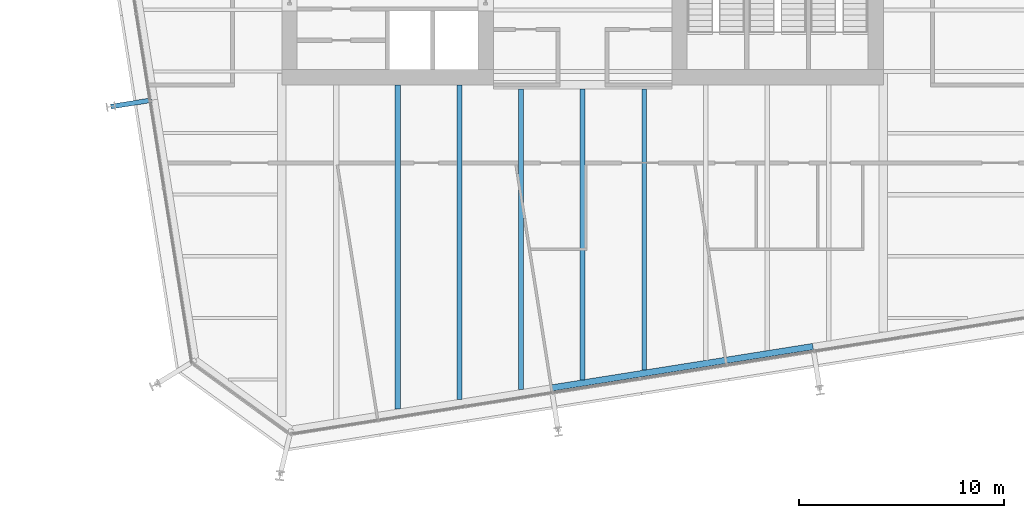
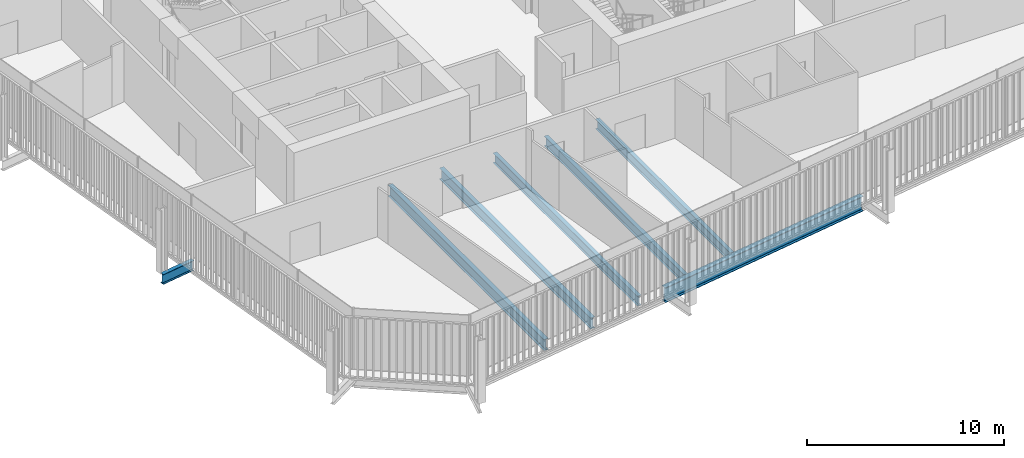
# One storey, part 3 of 21: 7 beams.
"""IFC4 building model written with IfcOpenShell, lengths in metres."""

from ifc_helpers import new_model, si_unit, direction, frame, origin, origin_2d, place, context, subcontext, project, spatial, i_section, extrude, material, material_profile, profile_set, type_object, element, save


model = new_model("IFC4")

# Units and contexts
model_context = context("Model", 3, precision=1e-05, world=origin(), true_north=direction((0.0, 1.0)))
body_context = subcontext(model_context, "Body", "Model", "MODEL_VIEW")
ifc_project = project(units=[si_unit("LENGTHUNIT", "METRE"), si_unit("AREAUNIT", "SQUARE_METRE"), si_unit("VOLUMEUNIT", "CUBIC_METRE"), si_unit("PLANEANGLEUNIT", "RADIAN"), si_unit("MASSUNIT", "GRAM", prefix="KILO")], contexts=[model_context])

# Site, building, storey
site_placement = place(None, origin())
site = spatial("IfcSite", under=ifc_project, at=site_placement, CompositionType="ELEMENT")
building_placement = place(site_placement, origin())
building = spatial("IfcBuilding", under=site, at=building_placement, Name="Millrace Tower", CompositionType="ELEMENT")
storey_placement = place(building_placement, frame((0.0, 0.0, 149.0)))
storey = spatial("IfcBuildingStorey", under=building, at=storey_placement, Name="L33", CompositionType="ELEMENT", Elevation=149.0)

# Beams
ifc_material_1 = material(Name="Steel ASTM A992 Grade 50", Category="steel")
ifc_material_profile_1 = material_profile(ifc_material_1, i_section(OverallWidth=0.228271484375, OverallDepth=0.607177734375, WebThickness=0.01123046875, FlangeThickness=0.017333984375, FilletRadius=0.0126953125, at=origin_2d()))
ifc_profile_set_1 = profile_set([ifc_material_profile_1], Name="Steel ASTM A992 Grade 50")
beam_type_1 = type_object("IfcBeamType", Name="Floor beam W24x76", PredefinedType="JOIST", material=ifc_profile_set_1)
beam_1_placement = place(storey_placement, frame((-3.0, -24.4970703125, -0.463623046875), z_axis=(0.0, 1.0, 0.0), x_axis=(-1.0, 0.0, 0.0)))
element("IfcBeam", 1, at=beam_1_placement, inside=storey, type_object=beam_type_1, Name="BM-C-L33-S1-S046", PredefinedType="JOIST", context=body_context, shape_type="SweptSolid", body=[
    extrude(i_section(OverallWidth=0.228271484375, OverallDepth=0.607177734375, WebThickness=0.01123046875, FlangeThickness=0.017333984375, FilletRadius=0.0126953125, at=origin_2d()), origin(), (0.0, 0.0, 1.0), 14.637451171875),
])
beam_2_placement = place(storey_placement, frame((0.0, -24.021728515625, -0.463623046875), z_axis=(0.0, 1.0, 0.0), x_axis=(-1.0, 0.0, 0.0)))
element("IfcBeam", 2, at=beam_2_placement, inside=storey, type_object=beam_type_1, Name="BM-C-L33-S1-S048", PredefinedType="JOIST", context=body_context, shape_type="SweptSolid", body=[
    extrude(i_section(OverallWidth=0.228271484375, OverallDepth=0.607177734375, WebThickness=0.01123046875, FlangeThickness=0.017333984375, FilletRadius=0.0126953125, at=origin_2d()), origin(), (0.0, 0.0, 1.0), 14.162109375),
])
beam_3_placement = place(storey_placement, frame((3.0, -23.546630859375, -0.463623046875), z_axis=(0.0, 1.0, 0.0), x_axis=(-1.0, 0.0, 0.0)))
element("IfcBeam", 3, at=beam_3_placement, inside=storey, type_object=beam_type_1, Name="BM-C-L33-S1-S050", PredefinedType="JOIST", context=body_context, shape_type="SweptSolid", body=[
    extrude(i_section(OverallWidth=0.228271484375, OverallDepth=0.607177734375, WebThickness=0.01123046875, FlangeThickness=0.017333984375, FilletRadius=0.0126953125, at=origin_2d()), origin(), (0.0, 0.0, 1.0), 13.68701171875),
])
ifc_material_2 = material(Name="Steel ASTM A992 Grade 50", Category="steel")
ifc_material_profile_2 = material_profile(ifc_material_2, i_section(OverallWidth=0.256591796875, OverallDepth=0.693359375, WebThickness=0.014404296875, FlangeThickness=0.023681640625, FilletRadius=0.01513671875, at=origin_2d()))
ifc_profile_set_2 = profile_set([ifc_material_profile_2], Name="Steel ASTM A992 Grade 50")
beam_type_2 = type_object("IfcBeamType", Name="Floor beam W27x114", PredefinedType="JOIST", material=ifc_profile_set_2)
beam_4_placement = place(storey_placement, frame((-9.0, -25.447265625, -0.506591796875), z_axis=(0.0, 1.0, 0.0), x_axis=(-1.0, 0.0, 0.0)))
element("IfcBeam", 4, at=beam_4_placement, inside=storey, type_object=beam_type_2, Name="BM-C-L33-S1-S042", PredefinedType="JOIST", context=body_context, shape_type="SweptSolid", body=[
    extrude(i_section(OverallWidth=0.256591796875, OverallDepth=0.693359375, WebThickness=0.014404296875, FlangeThickness=0.023681640625, FilletRadius=0.01513671875, at=origin_2d()), origin(), (0.0, 0.0, 1.0), 15.79736328125),
])
beam_5_placement = place(storey_placement, frame((-6.0, -24.97216796875, -0.506591796875), z_axis=(0.0, 1.0, 0.0), x_axis=(-1.0, 0.0, 0.0)))
element("IfcBeam", 5, at=beam_5_placement, inside=storey, type_object=beam_type_2, Name="BM-C-L33-S1-S044", PredefinedType="JOIST", context=body_context, shape_type="SweptSolid", body=[
    extrude(i_section(OverallWidth=0.256591796875, OverallDepth=0.693359375, WebThickness=0.014404296875, FlangeThickness=0.023681640625, FilletRadius=0.01513671875, at=origin_2d()), origin(), (0.0, 0.0, 1.0), 15.322265625),
])
ifc_material_3 = material(Name="Steel ASTM A992 Grade 50", Category="steel")
ifc_material_profile_3 = material_profile(ifc_material_3, i_section(OverallWidth=0.23046875, OverallDepth=0.6171875, WebThickness=0.01318359375, FlangeThickness=0.022216796875, FilletRadius=0.012939453125, at=origin_2d()))
ifc_profile_set_3 = profile_set([ifc_material_profile_3], Name="Steel ASTM A992 Grade 50")
beam_type_3 = type_object("IfcBeamType", Name="Link beam W24x94", PredefinedType="BEAM", material=ifc_profile_set_3)
beam_6_placement = place(storey_placement, frame((-21.001708984375, -10.396728515625, -0.468505859375), z_axis=(-0.987678691416, -0.156495375404, 0.0), x_axis=(0.156495375404, -0.987678691416, 0.0)))
element("IfcBeam", 6, at=beam_6_placement, inside=storey, type_object=beam_type_3, Name="LNK-C-L33-S1-02", PredefinedType="BEAM", context=body_context, shape_type="SweptSolid", body=[
    extrude(i_section(OverallWidth=0.23046875, OverallDepth=0.6171875, WebThickness=0.01318359375, FlangeThickness=0.022216796875, FilletRadius=0.012939453125, at=origin_2d()), origin(), (0.0, 0.0, 1.0), 2.0),
])
ifc_material_4 = material(Name="Steel ASTM A992 Grade 50", Category="steel")
ifc_material_profile_4 = material_profile(ifc_material_4, i_section(OverallWidth=0.307373046875, OverallDepth=0.927001953125, WebThickness=0.01953125, FlangeThickness=0.031982421875, FilletRadius=0.01904296875, at=origin_2d()))
ifc_profile_set_4 = profile_set([ifc_material_profile_4], Name="Steel ASTM A992 Grade 50")
beam_type_4 = type_object("IfcBeamType", Name="Ring beam medium span W36x194", PredefinedType="SPANDREL", material=ifc_profile_set_4)
beam_7_placement = place(storey_placement, frame((11.22265625, -22.39990234375, -0.62353515625), z_axis=(-0.987687196578, -0.156441687909, 0.0), x_axis=(0.156441687909, -0.987687196578, 0.0)))
element("IfcBeam", 7, at=beam_7_placement, inside=storey, type_object=beam_type_4, Name="RNG-C-L33-S1-14", PredefinedType="SPANDREL", context=body_context, shape_type="SweptSolid", body=[
    extrude(i_section(OverallWidth=0.307373046875, OverallDepth=0.927001953125, WebThickness=0.01953125, FlangeThickness=0.031982421875, FilletRadius=0.01904296875, at=origin_2d()), origin(), (0.0, 0.0, 1.0), 12.89990234375),
])

save(model, "model.ifc")
